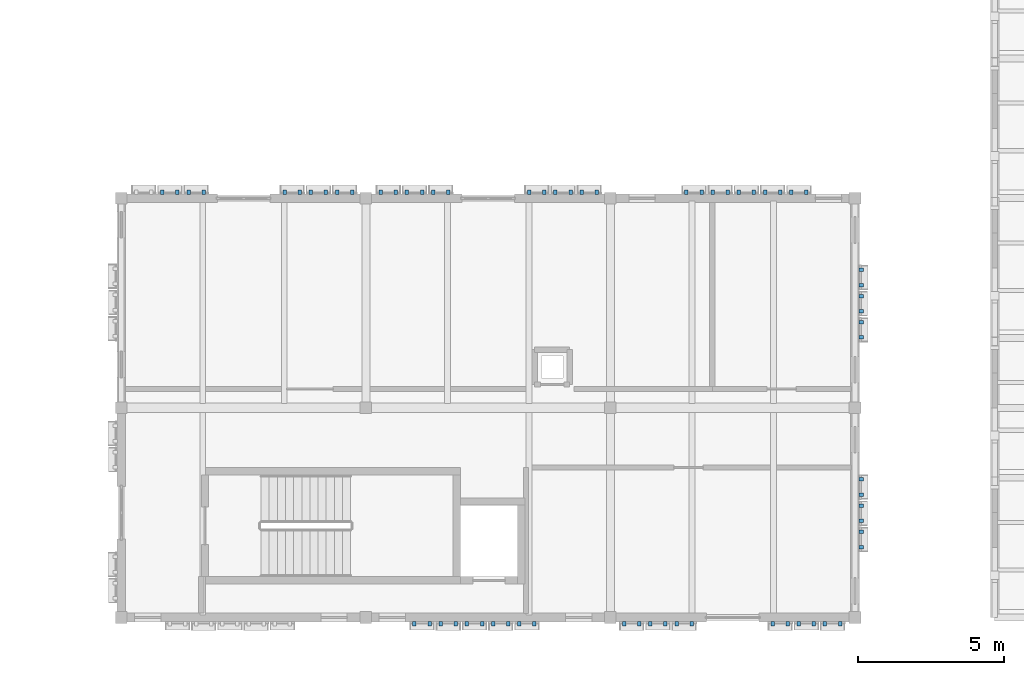
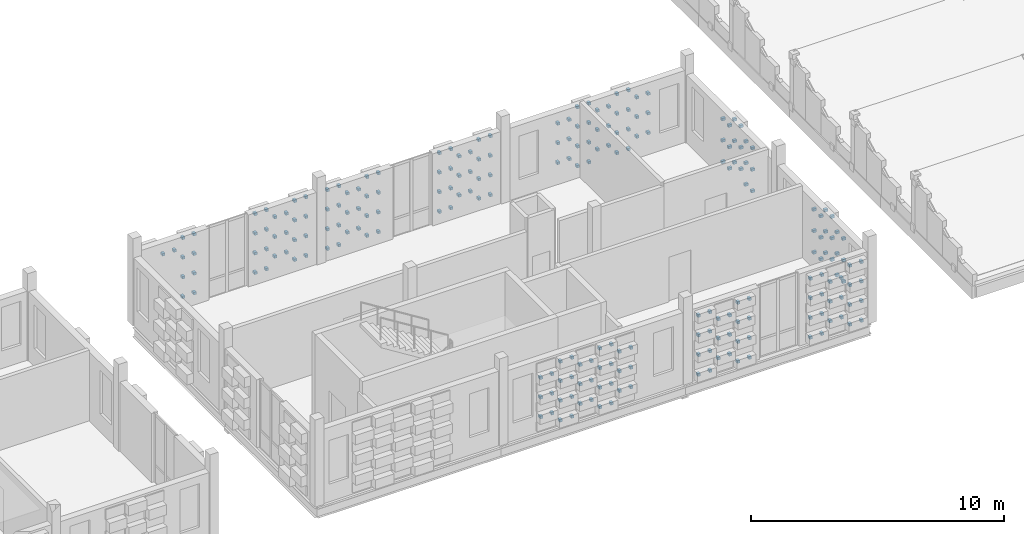
# One storey, part 72 of 81: 224 discrete accessories.
"""IFC4 building model written with IfcOpenShell, lengths in metres."""

from ifc_helpers import new_model, si_unit, direction, frame, origin, origin_2d, place, context, subcontext, project, spatial, rectangle, extrude, material, type_object, element, save


model = new_model("IFC4")

# Units and contexts
model_context = context("Model", 3, precision=1e-05, world=origin(), true_north=direction((0.0, 1.0)))
body_context = subcontext(model_context, "Body", "Model", "MODEL_VIEW")
ifc_project = project(units=[si_unit("LENGTHUNIT", "METRE"), si_unit("AREAUNIT", "SQUARE_METRE"), si_unit("VOLUMEUNIT", "CUBIC_METRE"), si_unit("PLANEANGLEUNIT", "RADIAN"), si_unit("MASSUNIT", "GRAM", prefix="KILO")], contexts=[model_context])

# Site, building, storey
site_placement = place(None, origin())
site = spatial("IfcSite", under=ifc_project, at=site_placement, CompositionType="ELEMENT")
building_placement = place(site_placement, origin())
building = spatial("IfcBuilding", under=site, at=building_placement, Name="Kahlenmark Community Centre", CompositionType="ELEMENT")
storey_placement = place(building_placement, frame((0.0, 0.0, 9.60009765625)))
storey = spatial("IfcBuildingStorey", under=building, at=storey_placement, Name="L02", CompositionType="ELEMENT", Elevation=9.60009765625)

# Discrete accessories
ifc_material = material(Name="Stainless steel 1.4401 rainscreen bracket", Category="steel")
discrete_accessory_type = type_object("IfcDiscreteAccessoryType", Name="DAT-BRACKET-TC", PredefinedType="BRACKET", material=ifc_material)
for number, where, z_axis, x_axis, name in (
    (1, (101.669921875, 8.590087890625, 0.729248046875), (0.0, 0.0, 1.0), (1.0, 0.0, 0.0), "Terracotta cassette bracket 3103.1"),
    (2, (102.18994140625, 8.590087890625, 0.729248046875), (0.0, 0.0, 1.0), (1.0, 0.0, 0.0), "Terracotta cassette bracket 3103.2"),
    (3, (101.669921875, 8.590087890625, 1.67529296875), (0.0, 0.0, 1.0), (1.0, 0.0, 0.0), "Terracotta cassette bracket 3105.1"),
    (4, (102.18994140625, 8.590087890625, 1.67529296875), (0.0, 0.0, 1.0), (1.0, 0.0, 0.0), "Terracotta cassette bracket 3105.2"),
    (5, (101.669921875, 8.590087890625, 2.621337890625), (0.0, 0.0, 1.0), (1.0, 0.0, 0.0), "Terracotta cassette bracket 3107.1"),
    (6, (102.18994140625, 8.590087890625, 2.621337890625), (0.0, 0.0, 1.0), (1.0, 0.0, 0.0), "Terracotta cassette bracket 3107.2"),
    (7, (102.570068359375, 8.590087890625, 0.25634765625), (0.0, 0.0, 1.0), (1.0, 0.0, 0.0), "Terracotta cassette bracket 3109.1"),
    (8, (103.090087890625, 8.590087890625, 0.25634765625), (0.0, 0.0, 1.0), (1.0, 0.0, 0.0), "Terracotta cassette bracket 3109.2"),
    (9, (102.570068359375, 8.590087890625, 1.202392578125), (0.0, 0.0, 1.0), (1.0, 0.0, 0.0), "Terracotta cassette bracket 3111.1"),
    (10, (103.090087890625, 8.590087890625, 1.202392578125), (0.0, 0.0, 1.0), (1.0, 0.0, 0.0), "Terracotta cassette bracket 3111.2"),
    (11, (102.570068359375, 8.590087890625, 2.1484375), (0.0, 0.0, 1.0), (1.0, 0.0, 0.0), "Terracotta cassette bracket 3113.1"),
    (12, (103.090087890625, 8.590087890625, 2.1484375), (0.0, 0.0, 1.0), (1.0, 0.0, 0.0), "Terracotta cassette bracket 3113.2"),
    (13, (102.570068359375, 8.590087890625, 3.09423828125), (0.0, 0.0, 1.0), (1.0, 0.0, 0.0), "Terracotta cassette bracket 3115.1"),
    (14, (103.090087890625, 8.590087890625, 3.09423828125), (0.0, 0.0, 1.0), (1.0, 0.0, 0.0), "Terracotta cassette bracket 3115.2"),
    (15, (103.469970703125, 8.590087890625, 0.729248046875), (0.0, 0.0, 1.0), (1.0, 0.0, 0.0), "Terracotta cassette bracket 3117.1"),
    (16, (103.989990234375, 8.590087890625, 0.729248046875), (0.0, 0.0, 1.0), (1.0, 0.0, 0.0), "Terracotta cassette bracket 3117.2"),
    (17, (103.469970703125, 8.590087890625, 1.67529296875), (0.0, 0.0, 1.0), (1.0, 0.0, 0.0), "Terracotta cassette bracket 3119.1"),
    (18, (103.989990234375, 8.590087890625, 1.67529296875), (0.0, 0.0, 1.0), (1.0, 0.0, 0.0), "Terracotta cassette bracket 3119.2"),
    (19, (103.469970703125, 8.590087890625, 2.621337890625), (0.0, 0.0, 1.0), (1.0, 0.0, 0.0), "Terracotta cassette bracket 3121.1"),
    (20, (103.989990234375, 8.590087890625, 2.621337890625), (0.0, 0.0, 1.0), (1.0, 0.0, 0.0), "Terracotta cassette bracket 3121.2"),
    (21, (104.3701171875, 8.590087890625, 0.25634765625), (0.0, 0.0, 1.0), (1.0, 0.0, 0.0), "Terracotta cassette bracket 3123.1"),
    (22, (104.889892578125, 8.590087890625, 0.25634765625), (0.0, 0.0, 1.0), (1.0, 0.0, 0.0), "Terracotta cassette bracket 3123.2"),
    (23, (104.3701171875, 8.590087890625, 1.202392578125), (0.0, 0.0, 1.0), (1.0, 0.0, 0.0), "Terracotta cassette bracket 3125.1"),
    (24, (104.889892578125, 8.590087890625, 1.202392578125), (0.0, 0.0, 1.0), (1.0, 0.0, 0.0), "Terracotta cassette bracket 3125.2"),
    (25, (104.3701171875, 8.590087890625, 2.1484375), (0.0, 0.0, 1.0), (1.0, 0.0, 0.0), "Terracotta cassette bracket 3127.1"),
    (26, (104.889892578125, 8.590087890625, 2.1484375), (0.0, 0.0, 1.0), (1.0, 0.0, 0.0), "Terracotta cassette bracket 3127.2"),
    (27, (104.3701171875, 8.590087890625, 3.09423828125), (0.0, 0.0, 1.0), (1.0, 0.0, 0.0), "Terracotta cassette bracket 3129.1"),
    (28, (104.889892578125, 8.590087890625, 3.09423828125), (0.0, 0.0, 1.0), (1.0, 0.0, 0.0), "Terracotta cassette bracket 3129.2"),
    (29, (105.27001953125, 8.590087890625, 0.729248046875), (0.0, 0.0, 1.0), (1.0, 0.0, 0.0), "Terracotta cassette bracket 3131.1"),
    (30, (105.7900390625, 8.590087890625, 0.729248046875), (0.0, 0.0, 1.0), (1.0, 0.0, 0.0), "Terracotta cassette bracket 3131.2"),
    (31, (105.27001953125, 8.590087890625, 1.67529296875), (0.0, 0.0, 1.0), (1.0, 0.0, 0.0), "Terracotta cassette bracket 3133.1"),
    (32, (105.7900390625, 8.590087890625, 1.67529296875), (0.0, 0.0, 1.0), (1.0, 0.0, 0.0), "Terracotta cassette bracket 3133.2"),
    (33, (105.27001953125, 8.590087890625, 2.621337890625), (0.0, 0.0, 1.0), (1.0, 0.0, 0.0), "Terracotta cassette bracket 3135.1"),
    (34, (105.7900390625, 8.590087890625, 2.621337890625), (0.0, 0.0, 1.0), (1.0, 0.0, 0.0), "Terracotta cassette bracket 3135.2"),
    (35, (108.8701171875, 8.590087890625, 0.25634765625), (0.0, 0.0, 1.0), (1.0, 0.0, 0.0), "Terracotta cassette bracket 3137.1"),
    (36, (109.389892578125, 8.590087890625, 0.25634765625), (0.0, 0.0, 1.0), (1.0, 0.0, 0.0), "Terracotta cassette bracket 3137.2"),
    (37, (108.8701171875, 8.590087890625, 1.202392578125), (0.0, 0.0, 1.0), (1.0, 0.0, 0.0), "Terracotta cassette bracket 3139.1"),
    (38, (109.389892578125, 8.590087890625, 1.202392578125), (0.0, 0.0, 1.0), (1.0, 0.0, 0.0), "Terracotta cassette bracket 3139.2"),
    (39, (108.8701171875, 8.590087890625, 2.1484375), (0.0, 0.0, 1.0), (1.0, 0.0, 0.0), "Terracotta cassette bracket 3141.1"),
    (40, (109.389892578125, 8.590087890625, 2.1484375), (0.0, 0.0, 1.0), (1.0, 0.0, 0.0), "Terracotta cassette bracket 3141.2"),
    (41, (108.8701171875, 8.590087890625, 3.09423828125), (0.0, 0.0, 1.0), (1.0, 0.0, 0.0), "Terracotta cassette bracket 3143.1"),
    (42, (109.389892578125, 8.590087890625, 3.09423828125), (0.0, 0.0, 1.0), (1.0, 0.0, 0.0), "Terracotta cassette bracket 3143.2"),
    (43, (109.77001953125, 8.590087890625, 0.729248046875), (0.0, 0.0, 1.0), (1.0, 0.0, 0.0), "Terracotta cassette bracket 3145.1"),
    (44, (110.2900390625, 8.590087890625, 0.729248046875), (0.0, 0.0, 1.0), (1.0, 0.0, 0.0), "Terracotta cassette bracket 3145.2"),
    (45, (109.77001953125, 8.590087890625, 1.67529296875), (0.0, 0.0, 1.0), (1.0, 0.0, 0.0), "Terracotta cassette bracket 3147.1"),
    (46, (110.2900390625, 8.590087890625, 1.67529296875), (0.0, 0.0, 1.0), (1.0, 0.0, 0.0), "Terracotta cassette bracket 3147.2"),
    (47, (109.77001953125, 8.590087890625, 2.621337890625), (0.0, 0.0, 1.0), (1.0, 0.0, 0.0), "Terracotta cassette bracket 3149.1"),
    (48, (110.2900390625, 8.590087890625, 2.621337890625), (0.0, 0.0, 1.0), (1.0, 0.0, 0.0), "Terracotta cassette bracket 3149.2"),
    (49, (110.669921875, 8.590087890625, 0.25634765625), (0.0, 0.0, 1.0), (1.0, 0.0, 0.0), "Terracotta cassette bracket 3151.1"),
    (50, (111.18994140625, 8.590087890625, 0.25634765625), (0.0, 0.0, 1.0), (1.0, 0.0, 0.0), "Terracotta cassette bracket 3151.2"),
    (51, (110.669921875, 8.590087890625, 1.202392578125), (0.0, 0.0, 1.0), (1.0, 0.0, 0.0), "Terracotta cassette bracket 3153.1"),
    (52, (111.18994140625, 8.590087890625, 1.202392578125), (0.0, 0.0, 1.0), (1.0, 0.0, 0.0), "Terracotta cassette bracket 3153.2"),
    (53, (110.669921875, 8.590087890625, 2.1484375), (0.0, 0.0, 1.0), (1.0, 0.0, 0.0), "Terracotta cassette bracket 3155.1"),
    (54, (111.18994140625, 8.590087890625, 2.1484375), (0.0, 0.0, 1.0), (1.0, 0.0, 0.0), "Terracotta cassette bracket 3155.2"),
    (55, (110.669921875, 8.590087890625, 3.09423828125), (0.0, 0.0, 1.0), (1.0, 0.0, 0.0), "Terracotta cassette bracket 3157.1"),
    (56, (111.18994140625, 8.590087890625, 3.09423828125), (0.0, 0.0, 1.0), (1.0, 0.0, 0.0), "Terracotta cassette bracket 3157.2"),
    (57, (113.969970703125, 8.590087890625, 0.25634765625), (0.0, 0.0, 1.0), (1.0, 0.0, 0.0), "Terracotta cassette bracket 3158.1"),
    (58, (114.489990234375, 8.590087890625, 0.25634765625), (0.0, 0.0, 1.0), (1.0, 0.0, 0.0), "Terracotta cassette bracket 3158.2"),
    (59, (113.969970703125, 8.590087890625, 1.202392578125), (0.0, 0.0, 1.0), (1.0, 0.0, 0.0), "Terracotta cassette bracket 3160.1"),
    (60, (114.489990234375, 8.590087890625, 1.202392578125), (0.0, 0.0, 1.0), (1.0, 0.0, 0.0), "Terracotta cassette bracket 3160.2"),
    (61, (113.969970703125, 8.590087890625, 2.1484375), (0.0, 0.0, 1.0), (1.0, 0.0, 0.0), "Terracotta cassette bracket 3162.1"),
    (62, (114.489990234375, 8.590087890625, 2.1484375), (0.0, 0.0, 1.0), (1.0, 0.0, 0.0), "Terracotta cassette bracket 3162.2"),
    (63, (113.969970703125, 8.590087890625, 3.09423828125), (0.0, 0.0, 1.0), (1.0, 0.0, 0.0), "Terracotta cassette bracket 3164.1"),
    (64, (114.489990234375, 8.590087890625, 3.09423828125), (0.0, 0.0, 1.0), (1.0, 0.0, 0.0), "Terracotta cassette bracket 3164.2"),
    (65, (114.8701171875, 8.590087890625, 0.729248046875), (0.0, 0.0, 1.0), (1.0, 0.0, 0.0), "Terracotta cassette bracket 3166.1"),
    (66, (115.389892578125, 8.590087890625, 0.729248046875), (0.0, 0.0, 1.0), (1.0, 0.0, 0.0), "Terracotta cassette bracket 3166.2"),
    (67, (114.8701171875, 8.590087890625, 1.67529296875), (0.0, 0.0, 1.0), (1.0, 0.0, 0.0), "Terracotta cassette bracket 3168.1"),
    (68, (115.389892578125, 8.590087890625, 1.67529296875), (0.0, 0.0, 1.0), (1.0, 0.0, 0.0), "Terracotta cassette bracket 3168.2"),
    (69, (114.8701171875, 8.590087890625, 2.621337890625), (0.0, 0.0, 1.0), (1.0, 0.0, 0.0), "Terracotta cassette bracket 3170.1"),
    (70, (115.389892578125, 8.590087890625, 2.621337890625), (0.0, 0.0, 1.0), (1.0, 0.0, 0.0), "Terracotta cassette bracket 3170.2"),
    (71, (115.77001953125, 8.590087890625, 0.25634765625), (0.0, 0.0, 1.0), (1.0, 0.0, 0.0), "Terracotta cassette bracket 3172.1"),
    (72, (116.2900390625, 8.590087890625, 0.25634765625), (0.0, 0.0, 1.0), (1.0, 0.0, 0.0), "Terracotta cassette bracket 3172.2"),
    (73, (115.77001953125, 8.590087890625, 1.202392578125), (0.0, 0.0, 1.0), (1.0, 0.0, 0.0), "Terracotta cassette bracket 3174.1"),
    (74, (116.2900390625, 8.590087890625, 1.202392578125), (0.0, 0.0, 1.0), (1.0, 0.0, 0.0), "Terracotta cassette bracket 3174.2"),
    (75, (115.77001953125, 8.590087890625, 2.1484375), (0.0, 0.0, 1.0), (1.0, 0.0, 0.0), "Terracotta cassette bracket 3176.1"),
    (76, (116.2900390625, 8.590087890625, 2.1484375), (0.0, 0.0, 1.0), (1.0, 0.0, 0.0), "Terracotta cassette bracket 3176.2"),
    (77, (115.77001953125, 8.590087890625, 3.09423828125), (0.0, 0.0, 1.0), (1.0, 0.0, 0.0), "Terracotta cassette bracket 3178.1"),
    (78, (116.2900390625, 8.590087890625, 3.09423828125), (0.0, 0.0, 1.0), (1.0, 0.0, 0.0), "Terracotta cassette bracket 3178.2"),
    (79, (99.530029296875, 23.409912109375, 0.25634765625), (0.0, 0.0, 1.0), (-1.0, 0.0, 0.0), "Terracotta cassette bracket 3179.1"),
    (80, (99.010009765625, 23.409912109375, 0.25634765625), (0.0, 0.0, 1.0), (-1.0, 0.0, 0.0), "Terracotta cassette bracket 3179.2"),
    (81, (99.530029296875, 23.409912109375, 1.202392578125), (0.0, 0.0, 1.0), (-1.0, 0.0, 0.0), "Terracotta cassette bracket 3181.1"),
    (82, (99.010009765625, 23.409912109375, 1.202392578125), (0.0, 0.0, 1.0), (-1.0, 0.0, 0.0), "Terracotta cassette bracket 3181.2"),
    (83, (99.530029296875, 23.409912109375, 2.1484375), (0.0, 0.0, 1.0), (-1.0, 0.0, 0.0), "Terracotta cassette bracket 3183.1"),
    (84, (99.010009765625, 23.409912109375, 2.1484375), (0.0, 0.0, 1.0), (-1.0, 0.0, 0.0), "Terracotta cassette bracket 3183.2"),
    (85, (99.530029296875, 23.409912109375, 3.09423828125), (0.0, 0.0, 1.0), (-1.0, 0.0, 0.0), "Terracotta cassette bracket 3185.1"),
    (86, (99.010009765625, 23.409912109375, 3.09423828125), (0.0, 0.0, 1.0), (-1.0, 0.0, 0.0), "Terracotta cassette bracket 3185.2"),
    (87, (98.6298828125, 23.409912109375, 0.729248046875), (0.0, 0.0, 1.0), (-1.0, 0.0, 0.0), "Terracotta cassette bracket 3187.1"),
    (88, (98.110107421875, 23.409912109375, 0.729248046875), (0.0, 0.0, 1.0), (-1.0, 0.0, 0.0), "Terracotta cassette bracket 3187.2"),
    (89, (98.6298828125, 23.409912109375, 1.67529296875), (0.0, 0.0, 1.0), (-1.0, 0.0, 0.0), "Terracotta cassette bracket 3189.1"),
    (90, (98.110107421875, 23.409912109375, 1.67529296875), (0.0, 0.0, 1.0), (-1.0, 0.0, 0.0), "Terracotta cassette bracket 3189.2"),
    (91, (98.6298828125, 23.409912109375, 2.621337890625), (0.0, 0.0, 1.0), (-1.0, 0.0, 0.0), "Terracotta cassette bracket 3191.1"),
    (92, (98.110107421875, 23.409912109375, 2.621337890625), (0.0, 0.0, 1.0), (-1.0, 0.0, 0.0), "Terracotta cassette bracket 3191.2"),
    (93, (97.72998046875, 23.409912109375, 0.25634765625), (0.0, 0.0, 1.0), (-1.0, 0.0, 0.0), "Terracotta cassette bracket 3193.1"),
    (94, (97.2099609375, 23.409912109375, 0.25634765625), (0.0, 0.0, 1.0), (-1.0, 0.0, 0.0), "Terracotta cassette bracket 3193.2"),
    (95, (97.72998046875, 23.409912109375, 1.202392578125), (0.0, 0.0, 1.0), (-1.0, 0.0, 0.0), "Terracotta cassette bracket 3195.1"),
    (96, (97.2099609375, 23.409912109375, 1.202392578125), (0.0, 0.0, 1.0), (-1.0, 0.0, 0.0), "Terracotta cassette bracket 3195.2"),
    (97, (97.72998046875, 23.409912109375, 2.1484375), (0.0, 0.0, 1.0), (-1.0, 0.0, 0.0), "Terracotta cassette bracket 3197.1"),
    (98, (97.2099609375, 23.409912109375, 2.1484375), (0.0, 0.0, 1.0), (-1.0, 0.0, 0.0), "Terracotta cassette bracket 3197.2"),
    (99, (97.72998046875, 23.409912109375, 3.09423828125), (0.0, 0.0, 1.0), (-1.0, 0.0, 0.0), "Terracotta cassette bracket 3199.1"),
    (100, (97.2099609375, 23.409912109375, 3.09423828125), (0.0, 0.0, 1.0), (-1.0, 0.0, 0.0), "Terracotta cassette bracket 3199.2"),
    (101, (94.429931640625, 23.409912109375, 0.25634765625), (0.0, 0.0, 1.0), (-1.0, 0.0, 0.0), "Terracotta cassette bracket 3200.1"),
    (102, (93.909912109375, 23.409912109375, 0.25634765625), (0.0, 0.0, 1.0), (-1.0, 0.0, 0.0), "Terracotta cassette bracket 3200.2"),
    (103, (94.429931640625, 23.409912109375, 1.202392578125), (0.0, 0.0, 1.0), (-1.0, 0.0, 0.0), "Terracotta cassette bracket 3202.1"),
    (104, (93.909912109375, 23.409912109375, 1.202392578125), (0.0, 0.0, 1.0), (-1.0, 0.0, 0.0), "Terracotta cassette bracket 3202.2"),
    (105, (94.429931640625, 23.409912109375, 2.1484375), (0.0, 0.0, 1.0), (-1.0, 0.0, 0.0), "Terracotta cassette bracket 3204.1"),
    (106, (93.909912109375, 23.409912109375, 2.1484375), (0.0, 0.0, 1.0), (-1.0, 0.0, 0.0), "Terracotta cassette bracket 3204.2"),
    (107, (94.429931640625, 23.409912109375, 3.09423828125), (0.0, 0.0, 1.0), (-1.0, 0.0, 0.0), "Terracotta cassette bracket 3206.1"),
    (108, (93.909912109375, 23.409912109375, 3.09423828125), (0.0, 0.0, 1.0), (-1.0, 0.0, 0.0), "Terracotta cassette bracket 3206.2"),
    (109, (93.530029296875, 23.409912109375, 2.621337890625), (0.0, 0.0, 1.0), (-1.0, 0.0, 0.0), "Terracotta cassette bracket 3212.1"),
    (110, (93.010009765625, 23.409912109375, 2.621337890625), (0.0, 0.0, 1.0), (-1.0, 0.0, 0.0), "Terracotta cassette bracket 3212.2"),
    (111, (107.929931640625, 23.409912109375, 0.25634765625), (0.0, 0.0, 1.0), (-1.0, 0.0, 0.0), "Terracotta cassette bracket 3221.1"),
    (112, (107.409912109375, 23.409912109375, 0.25634765625), (0.0, 0.0, 1.0), (-1.0, 0.0, 0.0), "Terracotta cassette bracket 3221.2"),
    (113, (107.929931640625, 23.409912109375, 1.202392578125), (0.0, 0.0, 1.0), (-1.0, 0.0, 0.0), "Terracotta cassette bracket 3223.1"),
    (114, (107.409912109375, 23.409912109375, 1.202392578125), (0.0, 0.0, 1.0), (-1.0, 0.0, 0.0), "Terracotta cassette bracket 3223.2"),
    (115, (107.929931640625, 23.409912109375, 2.1484375), (0.0, 0.0, 1.0), (-1.0, 0.0, 0.0), "Terracotta cassette bracket 3225.1"),
    (116, (107.409912109375, 23.409912109375, 2.1484375), (0.0, 0.0, 1.0), (-1.0, 0.0, 0.0), "Terracotta cassette bracket 3225.2"),
    (117, (107.929931640625, 23.409912109375, 3.09423828125), (0.0, 0.0, 1.0), (-1.0, 0.0, 0.0), "Terracotta cassette bracket 3227.1"),
    (118, (107.409912109375, 23.409912109375, 3.09423828125), (0.0, 0.0, 1.0), (-1.0, 0.0, 0.0), "Terracotta cassette bracket 3227.2"),
    (119, (107.030029296875, 23.409912109375, 0.729248046875), (0.0, 0.0, 1.0), (-1.0, 0.0, 0.0), "Terracotta cassette bracket 3229.1"),
    (120, (106.510009765625, 23.409912109375, 0.729248046875), (0.0, 0.0, 1.0), (-1.0, 0.0, 0.0), "Terracotta cassette bracket 3229.2"),
    (121, (107.030029296875, 23.409912109375, 1.67529296875), (0.0, 0.0, 1.0), (-1.0, 0.0, 0.0), "Terracotta cassette bracket 3231.1"),
    (122, (106.510009765625, 23.409912109375, 1.67529296875), (0.0, 0.0, 1.0), (-1.0, 0.0, 0.0), "Terracotta cassette bracket 3231.2"),
    (123, (107.030029296875, 23.409912109375, 2.621337890625), (0.0, 0.0, 1.0), (-1.0, 0.0, 0.0), "Terracotta cassette bracket 3233.1"),
    (124, (106.510009765625, 23.409912109375, 2.621337890625), (0.0, 0.0, 1.0), (-1.0, 0.0, 0.0), "Terracotta cassette bracket 3233.2"),
    (125, (106.1298828125, 23.409912109375, 0.25634765625), (0.0, 0.0, 1.0), (-1.0, 0.0, 0.0), "Terracotta cassette bracket 3235.1"),
    (126, (105.610107421875, 23.409912109375, 0.25634765625), (0.0, 0.0, 1.0), (-1.0, 0.0, 0.0), "Terracotta cassette bracket 3235.2"),
    (127, (106.1298828125, 23.409912109375, 1.202392578125), (0.0, 0.0, 1.0), (-1.0, 0.0, 0.0), "Terracotta cassette bracket 3237.1"),
    (128, (105.610107421875, 23.409912109375, 1.202392578125), (0.0, 0.0, 1.0), (-1.0, 0.0, 0.0), "Terracotta cassette bracket 3237.2"),
    (129, (106.1298828125, 23.409912109375, 2.1484375), (0.0, 0.0, 1.0), (-1.0, 0.0, 0.0), "Terracotta cassette bracket 3239.1"),
    (130, (105.610107421875, 23.409912109375, 2.1484375), (0.0, 0.0, 1.0), (-1.0, 0.0, 0.0), "Terracotta cassette bracket 3239.2"),
    (131, (106.1298828125, 23.409912109375, 3.09423828125), (0.0, 0.0, 1.0), (-1.0, 0.0, 0.0), "Terracotta cassette bracket 3241.1"),
    (132, (105.610107421875, 23.409912109375, 3.09423828125), (0.0, 0.0, 1.0), (-1.0, 0.0, 0.0), "Terracotta cassette bracket 3241.2"),
    (133, (102.830078125, 23.409912109375, 0.25634765625), (0.0, 0.0, 1.0), (-1.0, 0.0, 0.0), "Terracotta cassette bracket 3242.1"),
    (134, (102.31005859375, 23.409912109375, 0.25634765625), (0.0, 0.0, 1.0), (-1.0, 0.0, 0.0), "Terracotta cassette bracket 3242.2"),
    (135, (102.830078125, 23.409912109375, 1.202392578125), (0.0, 0.0, 1.0), (-1.0, 0.0, 0.0), "Terracotta cassette bracket 3244.1"),
    (136, (102.31005859375, 23.409912109375, 1.202392578125), (0.0, 0.0, 1.0), (-1.0, 0.0, 0.0), "Terracotta cassette bracket 3244.2"),
    (137, (102.830078125, 23.409912109375, 2.1484375), (0.0, 0.0, 1.0), (-1.0, 0.0, 0.0), "Terracotta cassette bracket 3246.1"),
    (138, (102.31005859375, 23.409912109375, 2.1484375), (0.0, 0.0, 1.0), (-1.0, 0.0, 0.0), "Terracotta cassette bracket 3246.2"),
    (139, (102.830078125, 23.409912109375, 3.09423828125), (0.0, 0.0, 1.0), (-1.0, 0.0, 0.0), "Terracotta cassette bracket 3248.1"),
    (140, (102.31005859375, 23.409912109375, 3.09423828125), (0.0, 0.0, 1.0), (-1.0, 0.0, 0.0), "Terracotta cassette bracket 3248.2"),
    (141, (101.929931640625, 23.409912109375, 0.729248046875), (0.0, 0.0, 1.0), (-1.0, 0.0, 0.0), "Terracotta cassette bracket 3250.1"),
    (142, (101.409912109375, 23.409912109375, 0.729248046875), (0.0, 0.0, 1.0), (-1.0, 0.0, 0.0), "Terracotta cassette bracket 3250.2"),
    (143, (101.929931640625, 23.409912109375, 1.67529296875), (0.0, 0.0, 1.0), (-1.0, 0.0, 0.0), "Terracotta cassette bracket 3252.1"),
    (144, (101.409912109375, 23.409912109375, 1.67529296875), (0.0, 0.0, 1.0), (-1.0, 0.0, 0.0), "Terracotta cassette bracket 3252.2"),
    (145, (101.929931640625, 23.409912109375, 2.621337890625), (0.0, 0.0, 1.0), (-1.0, 0.0, 0.0), "Terracotta cassette bracket 3254.1"),
    (146, (101.409912109375, 23.409912109375, 2.621337890625), (0.0, 0.0, 1.0), (-1.0, 0.0, 0.0), "Terracotta cassette bracket 3254.2"),
    (147, (101.030029296875, 23.409912109375, 0.25634765625), (0.0, 0.0, 1.0), (-1.0, 0.0, 0.0), "Terracotta cassette bracket 3256.1"),
    (148, (100.510009765625, 23.409912109375, 0.25634765625), (0.0, 0.0, 1.0), (-1.0, 0.0, 0.0), "Terracotta cassette bracket 3256.2"),
    (149, (101.030029296875, 23.409912109375, 1.202392578125), (0.0, 0.0, 1.0), (-1.0, 0.0, 0.0), "Terracotta cassette bracket 3258.1"),
    (150, (100.510009765625, 23.409912109375, 1.202392578125), (0.0, 0.0, 1.0), (-1.0, 0.0, 0.0), "Terracotta cassette bracket 3258.2"),
    (151, (101.030029296875, 23.409912109375, 2.1484375), (0.0, 0.0, 1.0), (-1.0, 0.0, 0.0), "Terracotta cassette bracket 3260.1"),
    (152, (100.510009765625, 23.409912109375, 2.1484375), (0.0, 0.0, 1.0), (-1.0, 0.0, 0.0), "Terracotta cassette bracket 3260.2"),
    (153, (101.030029296875, 23.409912109375, 3.09423828125), (0.0, 0.0, 1.0), (-1.0, 0.0, 0.0), "Terracotta cassette bracket 3262.1"),
    (154, (100.510009765625, 23.409912109375, 3.09423828125), (0.0, 0.0, 1.0), (-1.0, 0.0, 0.0), "Terracotta cassette bracket 3262.2"),
    (155, (115.1298828125, 23.409912109375, 0.729248046875), (0.0, 0.0, 1.0), (-1.0, 0.0, 0.0), "Terracotta cassette bracket 3264.1"),
    (156, (114.610107421875, 23.409912109375, 0.729248046875), (0.0, 0.0, 1.0), (-1.0, 0.0, 0.0), "Terracotta cassette bracket 3264.2"),
    (157, (115.1298828125, 23.409912109375, 1.67529296875), (0.0, 0.0, 1.0), (-1.0, 0.0, 0.0), "Terracotta cassette bracket 3266.1"),
    (158, (114.610107421875, 23.409912109375, 1.67529296875), (0.0, 0.0, 1.0), (-1.0, 0.0, 0.0), "Terracotta cassette bracket 3266.2"),
    (159, (115.1298828125, 23.409912109375, 2.621337890625), (0.0, 0.0, 1.0), (-1.0, 0.0, 0.0), "Terracotta cassette bracket 3268.1"),
    (160, (114.610107421875, 23.409912109375, 2.621337890625), (0.0, 0.0, 1.0), (-1.0, 0.0, 0.0), "Terracotta cassette bracket 3268.2"),
    (161, (114.22998046875, 23.409912109375, 0.25634765625), (0.0, 0.0, 1.0), (-1.0, 0.0, 0.0), "Terracotta cassette bracket 3270.1"),
    (162, (113.7099609375, 23.409912109375, 0.25634765625), (0.0, 0.0, 1.0), (-1.0, 0.0, 0.0), "Terracotta cassette bracket 3270.2"),
    (163, (114.22998046875, 23.409912109375, 1.202392578125), (0.0, 0.0, 1.0), (-1.0, 0.0, 0.0), "Terracotta cassette bracket 3272.1"),
    (164, (113.7099609375, 23.409912109375, 1.202392578125), (0.0, 0.0, 1.0), (-1.0, 0.0, 0.0), "Terracotta cassette bracket 3272.2"),
    (165, (114.22998046875, 23.409912109375, 2.1484375), (0.0, 0.0, 1.0), (-1.0, 0.0, 0.0), "Terracotta cassette bracket 3274.1"),
    (166, (113.7099609375, 23.409912109375, 2.1484375), (0.0, 0.0, 1.0), (-1.0, 0.0, 0.0), "Terracotta cassette bracket 3274.2"),
    (167, (114.22998046875, 23.409912109375, 3.09423828125), (0.0, 0.0, 1.0), (-1.0, 0.0, 0.0), "Terracotta cassette bracket 3276.1"),
    (168, (113.7099609375, 23.409912109375, 3.09423828125), (0.0, 0.0, 1.0), (-1.0, 0.0, 0.0), "Terracotta cassette bracket 3276.2"),
    (169, (113.330078125, 23.409912109375, 0.729248046875), (0.0, 0.0, 1.0), (-1.0, 0.0, 0.0), "Terracotta cassette bracket 3278.1"),
    (170, (112.81005859375, 23.409912109375, 0.729248046875), (0.0, 0.0, 1.0), (-1.0, 0.0, 0.0), "Terracotta cassette bracket 3278.2"),
    (171, (113.330078125, 23.409912109375, 1.67529296875), (0.0, 0.0, 1.0), (-1.0, 0.0, 0.0), "Terracotta cassette bracket 3280.1"),
    (172, (112.81005859375, 23.409912109375, 1.67529296875), (0.0, 0.0, 1.0), (-1.0, 0.0, 0.0), "Terracotta cassette bracket 3280.2"),
    (173, (113.330078125, 23.409912109375, 2.621337890625), (0.0, 0.0, 1.0), (-1.0, 0.0, 0.0), "Terracotta cassette bracket 3282.1"),
    (174, (112.81005859375, 23.409912109375, 2.621337890625), (0.0, 0.0, 1.0), (-1.0, 0.0, 0.0), "Terracotta cassette bracket 3282.2"),
    (175, (112.429931640625, 23.409912109375, 0.25634765625), (0.0, 0.0, 1.0), (-1.0, 0.0, 0.0), "Terracotta cassette bracket 3284.1"),
    (176, (111.909912109375, 23.409912109375, 0.25634765625), (0.0, 0.0, 1.0), (-1.0, 0.0, 0.0), "Terracotta cassette bracket 3284.2"),
    (177, (112.429931640625, 23.409912109375, 1.202392578125), (0.0, 0.0, 1.0), (-1.0, 0.0, 0.0), "Terracotta cassette bracket 3286.1"),
    (178, (111.909912109375, 23.409912109375, 1.202392578125), (0.0, 0.0, 1.0), (-1.0, 0.0, 0.0), "Terracotta cassette bracket 3286.2"),
    (179, (112.429931640625, 23.409912109375, 2.1484375), (0.0, 0.0, 1.0), (-1.0, 0.0, 0.0), "Terracotta cassette bracket 3288.1"),
    (180, (111.909912109375, 23.409912109375, 2.1484375), (0.0, 0.0, 1.0), (-1.0, 0.0, 0.0), "Terracotta cassette bracket 3288.2"),
    (181, (112.429931640625, 23.409912109375, 3.09423828125), (0.0, 0.0, 1.0), (-1.0, 0.0, 0.0), "Terracotta cassette bracket 3290.1"),
    (182, (111.909912109375, 23.409912109375, 3.09423828125), (0.0, 0.0, 1.0), (-1.0, 0.0, 0.0), "Terracotta cassette bracket 3290.2"),
    (183, (111.530029296875, 23.409912109375, 0.729248046875), (0.0, 0.0, 1.0), (-1.0, 0.0, 0.0), "Terracotta cassette bracket 3292.1"),
    (184, (111.010009765625, 23.409912109375, 0.729248046875), (0.0, 0.0, 1.0), (-1.0, 0.0, 0.0), "Terracotta cassette bracket 3292.2"),
    (185, (111.530029296875, 23.409912109375, 1.67529296875), (0.0, 0.0, 1.0), (-1.0, 0.0, 0.0), "Terracotta cassette bracket 3294.1"),
    (186, (111.010009765625, 23.409912109375, 1.67529296875), (0.0, 0.0, 1.0), (-1.0, 0.0, 0.0), "Terracotta cassette bracket 3294.2"),
    (187, (111.530029296875, 23.409912109375, 2.621337890625), (0.0, 0.0, 1.0), (-1.0, 0.0, 0.0), "Terracotta cassette bracket 3296.1"),
    (188, (111.010009765625, 23.409912109375, 2.621337890625), (0.0, 0.0, 1.0), (-1.0, 0.0, 0.0), "Terracotta cassette bracket 3296.2"),
    (189, (117.010009765625, 11.219970703125, 0.27880859375), (0.0, 0.0, 1.0), (0.0, 1.0, 0.0), "Terracotta cassette bracket 3340.1"),
    (190, (117.010009765625, 11.739990234375, 0.27880859375), (0.0, 0.0, 1.0), (0.0, 1.0, 0.0), "Terracotta cassette bracket 3340.2"),
    (191, (117.010009765625, 11.219970703125, 1.31494140625), (0.0, 0.0, 1.0), (0.0, 1.0, 0.0), "Terracotta cassette bracket 3342.1"),
    (192, (117.010009765625, 11.739990234375, 1.31494140625), (0.0, 0.0, 1.0), (0.0, 1.0, 0.0), "Terracotta cassette bracket 3342.2"),
    (193, (117.010009765625, 11.219970703125, 2.350830078125), (0.0, 0.0, 1.0), (0.0, 1.0, 0.0), "Terracotta cassette bracket 3344.1"),
    (194, (117.010009765625, 11.739990234375, 2.350830078125), (0.0, 0.0, 1.0), (0.0, 1.0, 0.0), "Terracotta cassette bracket 3344.2"),
    (195, (117.010009765625, 12.1201171875, 0.796875), (0.0, 0.0, 1.0), (0.0, 1.0, 0.0), "Terracotta cassette bracket 3347.1"),
    (196, (117.010009765625, 12.639892578125, 0.796875), (0.0, 0.0, 1.0), (0.0, 1.0, 0.0), "Terracotta cassette bracket 3347.2"),
    (197, (117.010009765625, 12.1201171875, 1.832763671875), (0.0, 0.0, 1.0), (0.0, 1.0, 0.0), "Terracotta cassette bracket 3349.1"),
    (198, (117.010009765625, 12.639892578125, 1.832763671875), (0.0, 0.0, 1.0), (0.0, 1.0, 0.0), "Terracotta cassette bracket 3349.2"),
    (199, (117.010009765625, 12.1201171875, 2.868896484375), (0.0, 0.0, 1.0), (0.0, 1.0, 0.0), "Terracotta cassette bracket 3351.1"),
    (200, (117.010009765625, 12.639892578125, 2.868896484375), (0.0, 0.0, 1.0), (0.0, 1.0, 0.0), "Terracotta cassette bracket 3351.2"),
    (201, (117.010009765625, 13.02001953125, 0.27880859375), (0.0, 0.0, 1.0), (0.0, 1.0, 0.0), "Terracotta cassette bracket 3352.1"),
    (202, (117.010009765625, 13.5400390625, 0.27880859375), (0.0, 0.0, 1.0), (0.0, 1.0, 0.0), "Terracotta cassette bracket 3352.2"),
    (203, (117.010009765625, 13.02001953125, 1.31494140625), (0.0, 0.0, 1.0), (0.0, 1.0, 0.0), "Terracotta cassette bracket 3354.1"),
    (204, (117.010009765625, 13.5400390625, 1.31494140625), (0.0, 0.0, 1.0), (0.0, 1.0, 0.0), "Terracotta cassette bracket 3354.2"),
    (205, (117.010009765625, 13.02001953125, 2.350830078125), (0.0, 0.0, 1.0), (0.0, 1.0, 0.0), "Terracotta cassette bracket 3356.1"),
    (206, (117.010009765625, 13.5400390625, 2.350830078125), (0.0, 0.0, 1.0), (0.0, 1.0, 0.0), "Terracotta cassette bracket 3356.2"),
    (207, (117.010009765625, 18.419921875, 0.27880859375), (0.0, 0.0, 1.0), (0.0, 1.0, 0.0), "Terracotta cassette bracket 3358.1"),
    (208, (117.010009765625, 18.93994140625, 0.27880859375), (0.0, 0.0, 1.0), (0.0, 1.0, 0.0), "Terracotta cassette bracket 3358.2"),
    (209, (117.010009765625, 18.419921875, 1.31494140625), (0.0, 0.0, 1.0), (0.0, 1.0, 0.0), "Terracotta cassette bracket 3360.1"),
    (210, (117.010009765625, 18.93994140625, 1.31494140625), (0.0, 0.0, 1.0), (0.0, 1.0, 0.0), "Terracotta cassette bracket 3360.2"),
    (211, (117.010009765625, 18.419921875, 2.350830078125), (0.0, 0.0, 1.0), (0.0, 1.0, 0.0), "Terracotta cassette bracket 3362.1"),
    (212, (117.010009765625, 18.93994140625, 2.350830078125), (0.0, 0.0, 1.0), (0.0, 1.0, 0.0), "Terracotta cassette bracket 3362.2"),
    (213, (117.010009765625, 19.320068359375, 0.796875), (0.0, 0.0, 1.0), (0.0, 1.0, 0.0), "Terracotta cassette bracket 3365.1"),
    (214, (117.010009765625, 19.840087890625, 0.796875), (0.0, 0.0, 1.0), (0.0, 1.0, 0.0), "Terracotta cassette bracket 3365.2"),
    (215, (117.010009765625, 19.320068359375, 1.832763671875), (0.0, 0.0, 1.0), (0.0, 1.0, 0.0), "Terracotta cassette bracket 3367.1"),
    (216, (117.010009765625, 19.840087890625, 1.832763671875), (0.0, 0.0, 1.0), (0.0, 1.0, 0.0), "Terracotta cassette bracket 3367.2"),
    (217, (117.010009765625, 19.320068359375, 2.868896484375), (0.0, 0.0, 1.0), (0.0, 1.0, 0.0), "Terracotta cassette bracket 3369.1"),
    (218, (117.010009765625, 19.840087890625, 2.868896484375), (0.0, 0.0, 1.0), (0.0, 1.0, 0.0), "Terracotta cassette bracket 3369.2"),
    (219, (117.010009765625, 20.219970703125, 0.27880859375), (0.0, 0.0, 1.0), (0.0, 1.0, 0.0), "Terracotta cassette bracket 3370.1"),
    (220, (117.010009765625, 20.739990234375, 0.27880859375), (0.0, 0.0, 1.0), (0.0, 1.0, 0.0), "Terracotta cassette bracket 3370.2"),
    (221, (117.010009765625, 20.219970703125, 1.31494140625), (0.0, 0.0, 1.0), (0.0, 1.0, 0.0), "Terracotta cassette bracket 3372.1"),
    (222, (117.010009765625, 20.739990234375, 1.31494140625), (0.0, 0.0, 1.0), (0.0, 1.0, 0.0), "Terracotta cassette bracket 3372.2"),
    (223, (117.010009765625, 20.219970703125, 2.350830078125), (0.0, 0.0, 1.0), (0.0, 1.0, 0.0), "Terracotta cassette bracket 3374.1"),
    (224, (117.010009765625, 20.739990234375, 2.350830078125), (0.0, 0.0, 1.0), (0.0, 1.0, 0.0), "Terracotta cassette bracket 3374.2"),
):
    element("IfcDiscreteAccessory", number, at=place(storey_placement, frame(where, z_axis=z_axis, x_axis=x_axis)), inside=storey, type_object=discrete_accessory_type, Name=name, PredefinedType="BRACKET", context=body_context, shape_type="SweptSolid", body=[
        extrude(rectangle(XDim=0.1201171875, YDim=0.159912109375, at=origin_2d()), origin(), (0.0, 0.0, 1.0), 0.1201171875),
    ])

save(model, "model.ifc")
